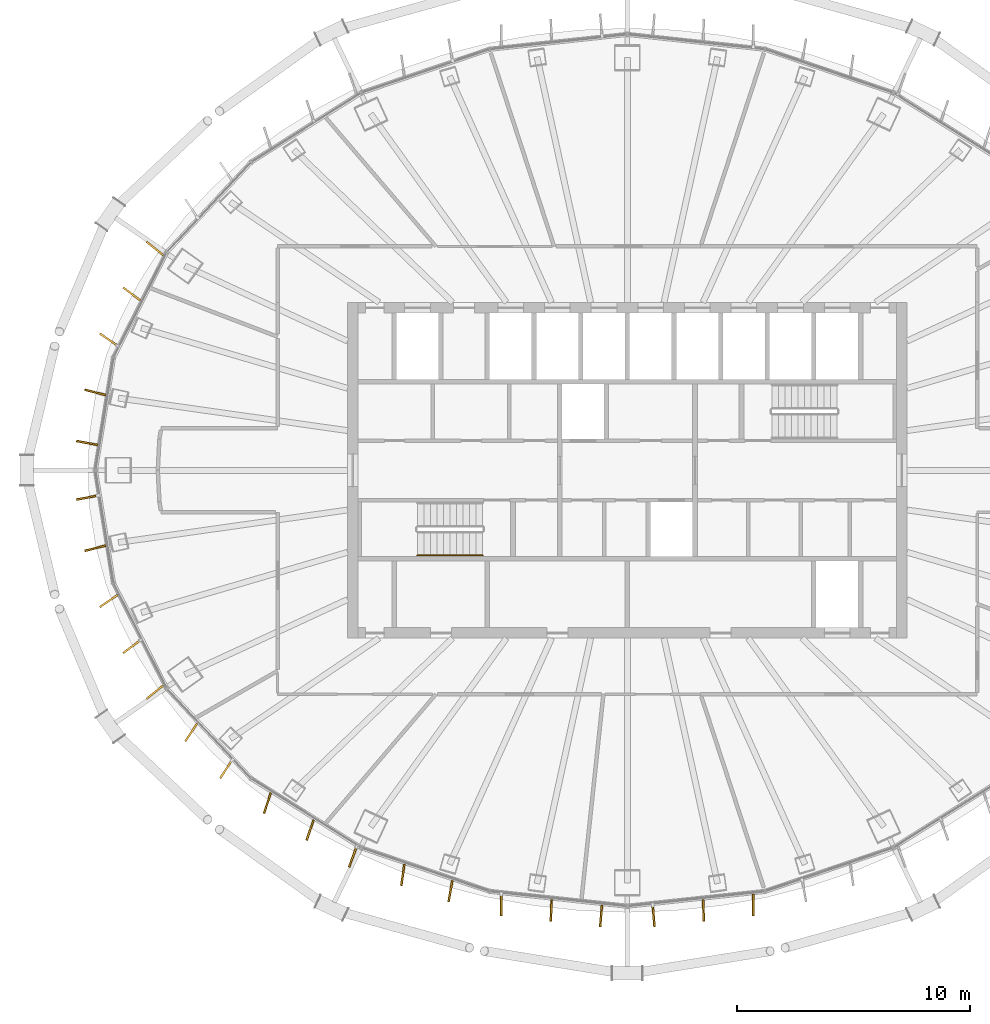
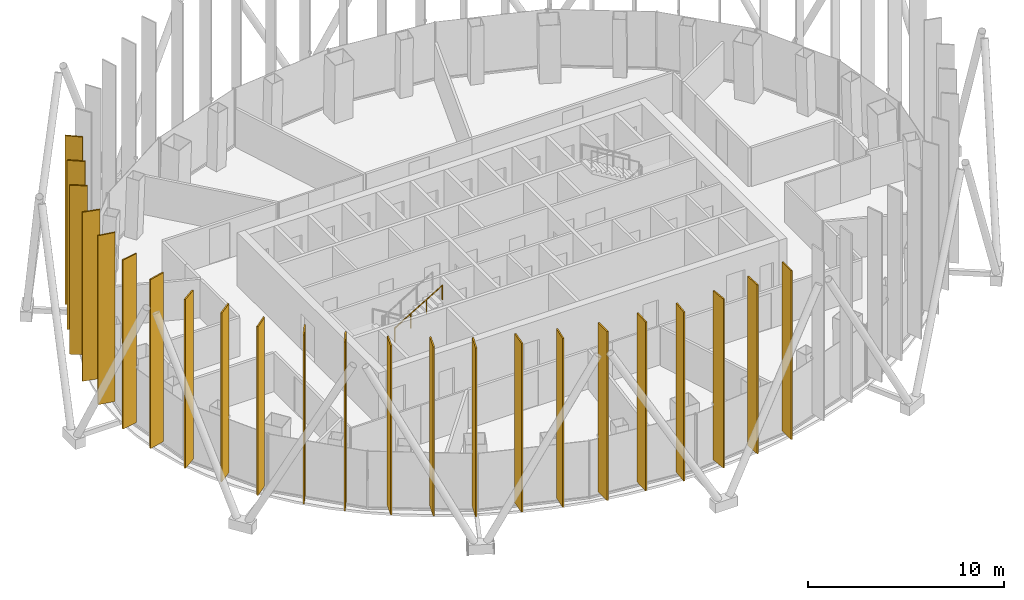
# One storey, part 14 of 17: 23 shading devices, 1 railing.
"""IFC4 building model written with IfcOpenShell, lengths in metres."""

from ifc_helpers import new_model, si_unit, direction, frame, origin, origin_2d, place, context, subcontext, project, spatial, rectangle, circle, extrude, material, layer, layer_set, type_object, element, save


model = new_model("IFC4")

# Units and contexts
model_context = context("Model", 3, precision=1e-05, world=origin(), true_north=direction((0.0, 1.0)))
body_context = subcontext(model_context, "Body", "Model", "MODEL_VIEW")
ifc_project = project(units=[si_unit("LENGTHUNIT", "METRE"), si_unit("AREAUNIT", "SQUARE_METRE"), si_unit("VOLUMEUNIT", "CUBIC_METRE"), si_unit("PLANEANGLEUNIT", "RADIAN"), si_unit("MASSUNIT", "GRAM", prefix="KILO")], contexts=[model_context])

# Site, building, storey
site_placement = place(None, origin())
site = spatial("IfcSite", under=ifc_project, at=site_placement, CompositionType="ELEMENT")
building_placement = place(site_placement, origin())
building = spatial("IfcBuilding", under=site, at=building_placement, Name="Siaravel Broadcast Tower", CompositionType="ELEMENT")
storey_placement = place(building_placement, frame((0.0, 0.0, 190.39990234375)))
storey = spatial("IfcBuildingStorey", under=building, at=storey_placement, Name="L46", CompositionType="ELEMENT", Elevation=190.39990234375)

# Shading devices
ifc_material_1 = material(Name="Bronze anodised aluminium", Category="aluminium")
ifc_layer = layer(ifc_material_1, 0.080078125)
ifc_layer_set = layer_set([ifc_layer], Name="Bronze anodised aluminium")
shading_device_type = type_object("IfcShadingDeviceType", Name="Bronze fin zone 3", PredefinedType="USERDEFINED", material=ifc_layer_set)
for number, where, z_axis, x_axis, name in (
    (1, (-20.26171875, 9.51220703125, 0.300048828125), (0.0, 0.0, 1.0), (-0.779085273, 0.626917967, 0.0), "Bronze fin L46-26"),
    (2, (-21.251220703125, 7.561767578125, 0.300048828125), (0.0, 0.0, 1.0), (-0.799597672, 0.600536063, 0.0), "Bronze fin L46-27"),
    (3, (-22.242919921875, 5.607421875, 0.300048828125), (0.0, 0.0, 1.0), (-0.824340648, 0.56609407, 0.0), "Bronze fin L46-28"),
    (4, (-22.81689453125, 3.340087890625, 0.300048828125), (0.0, 0.0, 1.0), (-0.970653137, 0.240483861, 0.0), "Bronze fin L46-29"),
    (5, (-23.1669921875, 1.17041015625, 0.300048828125), (0.0, 0.0, 1.0), (-0.982468298, 0.186429727, 0.0), "Bronze fin L46-30"),
    (6, (-23.1669921875, -1.17041015625, 0.300048828125), (0.0, 0.0, 1.0), (-0.982468298, -0.186429727, 0.0), "Bronze fin L46-31"),
    (7, (-22.81689453125, -3.340087890625, 0.300048828125), (0.0, 0.0, 1.0), (-0.970653137, -0.240483861, 0.0), "Bronze fin L46-32"),
    (8, (-22.242919921875, -5.607421875, 0.300048828125), (0.0, 0.0, 1.0), (-0.824340648, -0.56609407, 0.0), "Bronze fin L46-33"),
    (9, (-21.251220703125, -7.561767578125, 0.300048828125), (0.0, 0.0, 1.0), (-0.799597672, -0.600536063, 0.0), "Bronze fin L46-34"),
    (10, (-20.26171875, -9.51220703125, 0.300048828125), (0.0, 0.0, 1.0), (-0.779085273, -0.626917967, 0.0), "Bronze fin L46-35"),
    (11, (-18.7021484375, -11.239990234375, 0.300048828125), (0.0, 0.0, 1.0), (-0.553529645, -0.832829473, 0.0), "Bronze fin L46-36"),
    (12, (-17.212646484375, -12.828125, 0.300048828125), (0.0, 0.0, 1.0), (-0.543999215, -0.839085725, 0.0), "Bronze fin L46-37"),
    (13, (-15.4375, -14.273193359375, 0.300048828125), (0.0, 0.0, 1.0), (-0.312613451, -0.949880429, 0.0), "Bronze fin L46-38"),
    (14, (-13.602783203125, -15.427734375, 0.300048828125), (0.0, 0.0, 1.0), (-0.321989762, -0.946743151, 0.0), "Bronze fin L46-39"),
    (15, (-11.772216796875, -16.580810546875, 0.300048828125), (0.0, 0.0, 1.0), (-0.340405808, -0.940278621, 0.0), "Bronze fin L46-40"),
    (16, (-9.626708984375, -17.3525390625, 0.300048828125), (0.0, 0.0, 1.0), (-0.13996291, -0.990156747, 0.0), "Bronze fin L46-41"),
    (17, (-7.58544921875, -18.048095703125, 0.300048828125), (0.0, 0.0, 1.0), (-0.17393865, -0.984756491, 0.0), "Bronze fin L46-42"),
    (18, (-5.4052734375, -18.6484375, 0.300048828125), (0.0, 0.0, 1.0), (0.005197567, -0.999986493, 0.0), "Bronze fin L46-43"),
    (19, (-3.265380859375, -18.881103515625, 0.300048828125), (0.0, 0.0, 1.0), (-0.038169803, -0.999271268, 0.0), "Bronze fin L46-44"),
    (20, (-1.126953125, -19.11279296875, 0.300048828125), (0.0, 0.0, 1.0), (-0.08410742, -0.996456693, 0.0), "Bronze fin L46-45"),
    (21, (1.126953125, -19.11279296875, 0.300048828125), (0.0, 0.0, 1.0), (0.08410742, -0.996456693, 0.0), "Bronze fin L46-46"),
    (22, (3.265380859375, -18.881103515625, 0.300048828125), (0.0, 0.0, 1.0), (0.038169803, -0.999271268, 0.0), "Bronze fin L46-47"),
    (23, (5.4052734375, -18.6484375, 0.300048828125), (0.0, 0.0, 1.0), (-0.005197567, -0.999986493, 0.0), "Bronze fin L46-48"),
):
    element("IfcShadingDevice", number, at=place(storey_placement, frame(where, z_axis=z_axis, x_axis=x_axis)), inside=storey, type_object=shading_device_type, Name=name, ObjectType="FIN", PredefinedType="USERDEFINED", context=body_context, shape_type="SweptSolid", body=[
        extrude(rectangle(XDim=0.919921875, YDim=0.080078125, at=origin_2d()), origin(), (0.0, 0.0, 1.0), 10.5),
    ])

# Railing
ifc_material_2 = material(Name="Stainless steel 316L", Category="steel")
railing_type = type_object("IfcRailingType", Name="Stair handrail 900", PredefinedType="HANDRAIL", material=ifc_material_2)
railing_placement = place(storey_placement, frame((-9.0, -3.64990234375, 2.018310546875)))
element("IfcRailing", 24, at=railing_placement, inside=storey, type_object=railing_type, Name="L46 ST-1 stair handrail 2", PredefinedType="HANDRAIL", context=body_context, shape_type="SweptSolid", body=[
    extrude(circle(Radius=0.02392578125, at=origin_2d()), frame((0.0, 0.0, 0.8759765625), z_axis=(0.857242211, 0.0, 0.514913383), x_axis=(0.0, 1.0, 0.0)), (0.0, 0.0, 1.0), 3.266357421875),
    extrude(circle(Radius=0.02099609375, at=origin_2d()), origin(), (0.0, 0.0, 1.0), 0.851806640625),
    extrude(circle(Radius=0.02099609375, at=origin_2d()), frame((0.933349609375, 0.0, 0.560546875)), (0.0, 0.0, 1.0), 0.851806640625),
    extrude(circle(Radius=0.02099609375, at=origin_2d()), frame((1.86669921875, 0.0, 1.121337890625)), (0.0, 0.0, 1.0), 0.851806640625),
    extrude(circle(Radius=0.02099609375, at=origin_2d()), frame((2.800048828125, 0.0, 1.681884765625)), (0.0, 0.0, 1.0), 0.851806640625),
])

save(model, "model.ifc")
